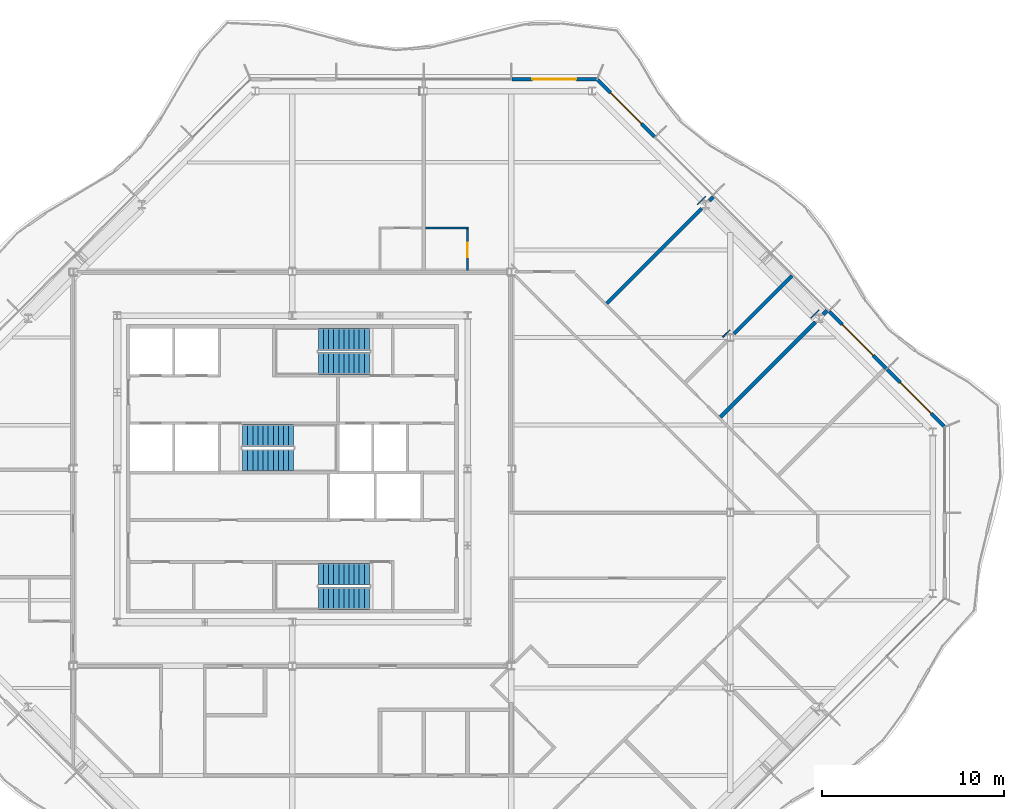
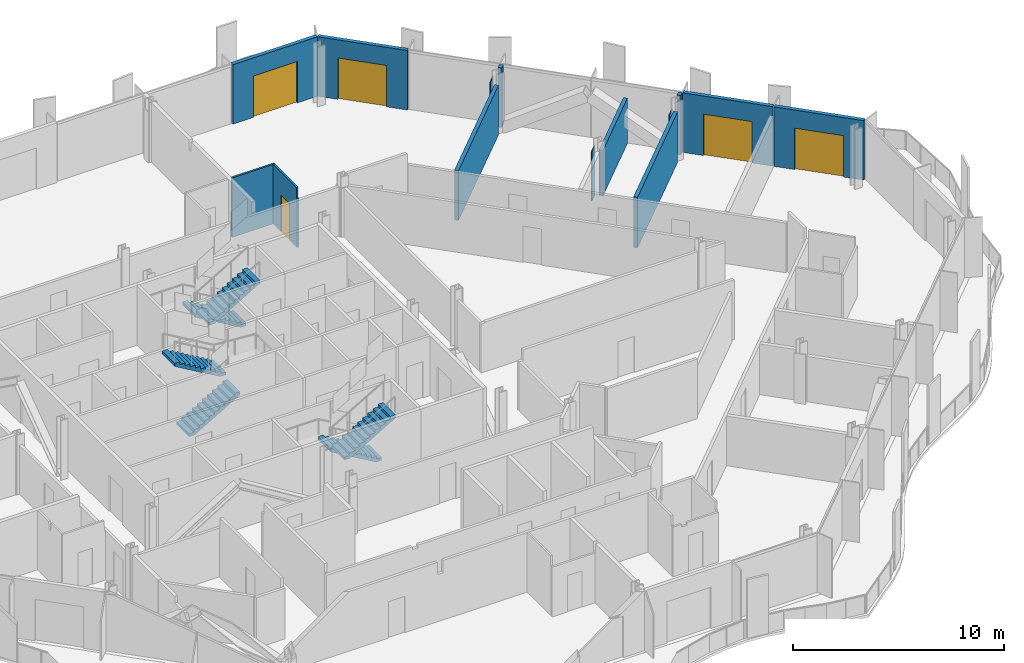
# One storey, part 12 of 17: 14 walls, 6 stair flights, 5 doors, 5 openings, 3 elements without a shape of their own.
"""IFC4 building model written with IfcOpenShell, lengths in metres."""

import ifcopenshell
import ifcopenshell.guid

model = None  # the IFC model being written
_history = None  # IfcOwnerHistory: only IFC2X3 demands one
_inside = {}  # id of a spatial element -> (the spatial element, [elements in it])
_under = {}  # id of a project, library or spatial element -> (it, [spatial elements below it])
_declared = {}  # id of a project -> (the project, [libraries it declares])
_typed = {}  # id of a type object -> (the type object, [elements of that type])
_made_of = {}  # id of a material, layer set ... -> (it, [elements and type objects made of it])


def new_model(schema):
    """Start an empty IFC model of exactly this schema.

    Asked for "IFC4X3", IfcOpenShell would pick the latest addendum, in which some entities
    have other attributes; the version numbers below select the first issue.
    IFC2X3 requires an IfcOwnerHistory on every rooted entity: one is made here for all.
    """
    global model, _history
    if schema == "IFC4X3":
        model = ifcopenshell.file(schema_version=(4, 3, 0, 0))
    else:
        model = ifcopenshell.file(schema=schema)
    _inside.clear()
    _under.clear()
    _declared.clear()
    _typed.clear()
    _made_of.clear()
    _history = None
    if model.schema == "IFC2X3":
        org = make("IfcOrganization", Name="unknown")
        user = make(
            "IfcPersonAndOrganization",
            ThePerson=make("IfcPerson", FamilyName="unknown"),
            TheOrganization=org,
        )
        app = make(
            "IfcApplication",
            ApplicationDeveloper=org,
            Version="unknown",
            ApplicationFullName="unknown",
            ApplicationIdentifier="unknown",
        )
        _history = make(
            "IfcOwnerHistory",
            OwningUser=user,
            OwningApplication=app,
            ChangeAction="ADDED",
            CreationDate=0,
        )
    return model


def make(cls, **values):
    """One entity of the class cls with the attributes given. An attribute that is None is left unset."""
    return model.create_entity(
        cls, **{name: value for name, value in values.items() if value is not None}
    )


def rooted(cls, **values):
    """An entity with a GlobalId (a new one), such as an element, a storey or a relation."""
    return make(cls, GlobalId=ifcopenshell.guid.new(), OwnerHistory=_history, **values)


def si_unit(unit_type, name, prefix=None):
    """IfcSIUnit, for example si_unit("LENGTHUNIT", "METRE", prefix="MILLI")."""
    return make("IfcSIUnit", UnitType=unit_type, Prefix=prefix, Name=name)


def assignment(units):
    """IfcUnitAssignment: the units of a project."""
    return None if units is None else make("IfcUnitAssignment", Units=units)


def point(xyz):
    """IfcCartesianPoint."""
    return None if xyz is None else make("IfcCartesianPoint", Coordinates=xyz)


def direction(xyz):
    """IfcDirection."""
    return None if xyz is None else make("IfcDirection", DirectionRatios=xyz)


def frame(location, z_axis=None, x_axis=None):
    """IfcAxis2Placement3D, a coordinate frame: its origin and axes. An axis left out is left unset."""
    return make(
        "IfcAxis2Placement3D",
        Location=point(location),
        Axis=direction(z_axis),
        RefDirection=direction(x_axis),
    )


def frame_2d(location, x_axis=None):
    """IfcAxis2Placement2D, a coordinate frame in the plane: its origin and x axis."""
    return make(
        "IfcAxis2Placement2D", Location=point(location), RefDirection=direction(x_axis)
    )


def origin():
    """The frame at (0, 0, 0) with its axes left unset."""
    return frame((0.0, 0.0, 0.0))


def place(relative_to, where):
    """IfcLocalPlacement: puts the frame where relative to a parent placement (None: the world)."""
    return make(
        "IfcLocalPlacement", PlacementRelTo=relative_to, RelativePlacement=where
    )


def context(
    kind, dimensions, precision=None, world=None, true_north=None, identifier=None
):
    """IfcGeometricRepresentationContext, for example the 3D "Model" context."""
    return make(
        "IfcGeometricRepresentationContext",
        ContextIdentifier=identifier,
        ContextType=kind,
        CoordinateSpaceDimension=dimensions,
        Precision=precision,
        WorldCoordinateSystem=world,
        TrueNorth=true_north,
    )


def subcontext(parent, identifier, kind, view, scale=None):
    """IfcGeometricRepresentationSubContext, for example "Body" below "Model"."""
    return make(
        "IfcGeometricRepresentationSubContext",
        ContextIdentifier=identifier,
        ContextType=kind,
        ParentContext=parent,
        TargetScale=scale,
        TargetView=view,
    )


def project(units=None, contexts=None):
    """IfcProject with its units and contexts."""
    return rooted(
        "IfcProject",
        Name="project",
        RepresentationContexts=contexts,
        UnitsInContext=assignment(units),
    )


def spatial(cls, under=None, at=None, **own):
    """A site, building, storey or space (cls), placed at a placement, below another one or the project."""
    s = rooted(cls, ObjectPlacement=at, **own)
    if under is not None:
        _under.setdefault(under.id(), (under, []))[1].append(s)
    return s


def polyline(points):
    """IfcPolyline through the points."""
    return make("IfcPolyline", Points=[point(p) for p in points])


def profile(cls, at=None, kind="AREA", **sizes):
    """A parametric profile (cls). Its sizes go by their IFC names, for example OverallWidth=200.0."""
    return make(cls, ProfileType=kind, Position=at, **sizes)


def rectangle(**sizes):
    """IfcRectangleProfileDef."""
    return profile("IfcRectangleProfileDef", **sizes)


def outline(outer, holes=None, kind="AREA"):
    """IfcArbitraryClosedProfileDef: a profile drawn as a closed curve; with holes, ...WithVoids."""
    if holes is None:
        return make("IfcArbitraryClosedProfileDef", ProfileType=kind, OuterCurve=outer)
    return make(
        "IfcArbitraryProfileDefWithVoids",
        ProfileType=kind,
        OuterCurve=outer,
        InnerCurves=holes,
    )


def extrude(swept, where, along, depth):
    """IfcExtrudedAreaSolid: the profile swept, set in the frame where, extruded along a direction by depth."""
    return make(
        "IfcExtrudedAreaSolid",
        SweptArea=swept,
        Position=where,
        ExtrudedDirection=direction(along),
        Depth=depth,
    )


def shape(context_of_items, identifier, shape_type, items):
    """IfcShapeRepresentation: the items that make up one representation, for example the "Body"."""
    return make(
        "IfcShapeRepresentation",
        ContextOfItems=context_of_items,
        RepresentationIdentifier=identifier,
        RepresentationType=shape_type,
        Items=items,
    )


def material(Name=None, Category=None):
    """IfcMaterial."""
    return make("IfcMaterial", Name=Name, Category=Category)


def layer(
    of_material, thickness, ventilated=None, Name=None, Category=None, Priority=None
):
    """IfcMaterialLayer: one layer of a wall or slab, of a material (None: an air gap)."""
    return make(
        "IfcMaterialLayer",
        Material=of_material,
        LayerThickness=thickness,
        IsVentilated=ventilated,
        Name=Name,
        Category=Category,
        Priority=Priority,
    )


def layer_set(layers, Name=None):
    """IfcMaterialLayerSet."""
    return make("IfcMaterialLayerSet", MaterialLayers=layers, LayerSetName=Name)


def made_of(thing, what):
    """Note that an element or type object is made of a material, layer set ...; save() writes the relation."""
    if what is not None:
        _made_of.setdefault(what.id(), (what, []))[1].append(thing)
    return thing


def type_object(cls, material=None, **own):
    """A type object (cls), such as IfcWallType, which elements share."""
    return made_of(rooted(cls, **own), material)


def element(
    cls,
    number,
    at=None,
    inside=None,
    cuts=None,
    type_object=None,
    material=None,
    context=None,
    identifier="Body",
    shape_type=None,
    held_by="IfcProductDefinitionShape",
    body=None,
    shapes=None,
    **own,
):
    """One element of the class cls, such as IfcWall. Its Tag is "e" and its number.

    at: its placement. inside: the storey or other place that contains it. cuts: it is an
    opening in that element (IfcRelVoidsElement). A single representation is given by context,
    identifier, shape_type and body (its items); several are given by shapes. held_by: the class
    of the entity that holds the representations. save() writes the other relations.
    """
    e = rooted(cls, Tag="e%d" % number, ObjectPlacement=at, **own)
    if body is not None:
        shapes = [shape(context, identifier, shape_type, body)]
    if shapes is not None:
        e.Representation = make(held_by, Representations=shapes)
    if inside is not None:
        _inside.setdefault(inside.id(), (inside, []))[1].append(e)
    if cuts is not None:
        rooted(
            "IfcRelVoidsElement", RelatingBuildingElement=cuts, RelatedOpeningElement=e
        )
    if type_object is not None:
        _typed.setdefault(type_object.id(), (type_object, []))[1].append(e)
    return made_of(e, material)


def fill(opening, filler):
    """IfcRelFillsElement: the door or window that sits in an opening."""
    return rooted(
        "IfcRelFillsElement",
        RelatingOpeningElement=opening,
        RelatedBuildingElement=filler,
    )


def aggregate(whole, parts):
    """IfcRelAggregates: a whole, such as a stair, and the parts it consists of."""
    return rooted("IfcRelAggregates", RelatingObject=whole, RelatedObjects=parts)


def save(model, path):
    """Write the relations noted so far, then the file.

    IfcRelAggregates (storeys below a building ...), IfcRelContainedInSpatialStructure (elements
    in a storey), IfcRelDefinesByType, IfcRelAssociatesMaterial and IfcRelDeclares: one each for
    every whole, place, type object, material and project.
    """
    for whole, parts in _under.values():
        aggregate(whole, parts)
    for where, things in _inside.values():
        rooted(
            "IfcRelContainedInSpatialStructure",
            RelatedElements=things,
            RelatingStructure=where,
        )
    for kind, things in _typed.values():
        rooted("IfcRelDefinesByType", RelatedObjects=things, RelatingType=kind)
    for what, things in _made_of.values():
        rooted("IfcRelAssociatesMaterial", RelatedObjects=things, RelatingMaterial=what)
    for by, libraries in _declared.values():
        rooted("IfcRelDeclares", RelatingContext=by, RelatedDefinitions=libraries)
    model.write(path)


model = new_model("IFC4")

# Units and contexts
model_context = context("Model", 3, precision=1e-05, world=origin(), true_north=direction((0.0, 1.0)))
body_context = subcontext(model_context, "Body", "Model", "MODEL_VIEW")
ifc_project = project(units=[si_unit("LENGTHUNIT", "METRE"), si_unit("AREAUNIT", "SQUARE_METRE"), si_unit("VOLUMEUNIT", "CUBIC_METRE"), si_unit("PLANEANGLEUNIT", "RADIAN"), si_unit("MASSUNIT", "GRAM", prefix="KILO")], contexts=[model_context])

# Site, building, storey
site_placement = place(None, origin())
site = spatial("IfcSite", under=ifc_project, at=site_placement, CompositionType="ELEMENT")
building_placement = place(site_placement, origin())
building = spatial("IfcBuilding", under=site, at=building_placement, Name="Cairn Pilgrim Tower", CompositionType="ELEMENT")
storey_placement = place(building_placement, frame((0.0, 0.0, 217.800048828125)))
storey = spatial("IfcBuildingStorey", under=building, at=storey_placement, Name="L55", CompositionType="ELEMENT", Elevation=217.800048828125)

# Wall, opening, door
ifc_material_1 = material(Name="Bronze anodised aluminium insulated sandwich panel with mineral wool fill", Category="aluminium")
ifc_layer_1 = layer(ifc_material_1, 0.199951171875)
ifc_layer_set_1 = layer_set([ifc_layer_1], Name="BRONZE INFILL FRAME WALL 200")
wall_type_1 = type_object("IfcWallType", Name="BRONZE INFILL FRAME WALL 200", PredefinedType="NOTDEFINED", material=ifc_layer_set_1)
wall_1_placement = place(storey_placement, frame((42.921630859375, 4.724609375, 0.0), z_axis=(0.0, 0.0, 1.0), x_axis=(-0.707079168996, 0.707134392299, 0.0)))
wall_1 = element("IfcWall", 1, at=wall_1_placement, inside=storey, type_object=wall_type_1, Name="Bronze infill frame wall IW-NE1", PredefinedType="NOTDEFINED", context=body_context, shape_type="SweptSolid", body=[
    extrude(rectangle(XDim=4.4208984375, YDim=0.199951171875, at=frame_2d((2.21044921875, 0.0))), origin(), (0.0, 0.0, 1.0), 3.449951171875),
])
opening_1_placement = place(wall_1_placement, frame((1.00537109375, 0.0, 0.0)))
opening_1 = element("IfcOpeningElement", 2, at=opening_1_placement, cuts=wall_1, Name="Opening 5504B2", PredefinedType="OPENING", context=body_context, shape_type="SweptSolid", body=[
    extrude(rectangle(XDim=2.39990234375, YDim=2.39990234375, at=frame_2d((1.199951171875, 1.199951171875))), frame((0.0, 0.10986328125, 0.0), z_axis=(0.0, -1.0, 0.0), x_axis=(1.0, 0.0, 0.0)), (0.0, 0.0, 1.0), 0.219970703125),
])
ifc_material_2 = material(Name="Bronze anodised aluminium frame with tinted low-E glass", Category="aluminium")
door_type_1 = type_object("IfcDoorType", Name="BALCONY SLIDING DOOR 2400x2400", OperationType="DOUBLE_DOOR_SLIDING", PredefinedType="DOOR", material=ifc_material_2)
door_1_placement = place(opening_1_placement, origin())
door_1 = element("IfcDoor", 3, at=door_1_placement, inside=storey, type_object=door_type_1, Name="Balcony sliding door 5504B2", OperationType="SINGLE_SWING_LEFT", OverallHeight=2.39990234375, OverallWidth=2.39990234375, PredefinedType="DOOR", context=body_context, shape_type="SweptSolid", body=[
    extrude(rectangle(XDim=2.39990234375, YDim=2.39990234375, at=frame_2d((1.199951171875, 1.199951171875))), frame((0.0, 0.02490234375, 0.0), z_axis=(0.0, -1.0, 0.0), x_axis=(1.0, 0.0, 0.0)), (0.0, 0.0, 1.0), 0.050048828125),
])
fill(opening_1, door_1)

wall_2_placement = place(storey_placement, frame((39.753173828125, 7.893310546875, 0.0), z_axis=(0.0, 0.0, 1.0), x_axis=(-0.707106781187, 0.707106781187, 0.0)))
wall_2 = element("IfcWall", 4, at=wall_2_placement, inside=storey, type_object=wall_type_1, Name="Bronze infill frame wall IW-NE2", PredefinedType="NOTDEFINED", context=body_context, shape_type="SweptSolid", body=[
    extrude(rectangle(XDim=4.430908203125, YDim=0.199951171875, at=frame_2d((2.21533203125, 0.0))), origin(), (0.0, 0.0, 1.0), 3.449951171875),
])
opening_2_placement = place(wall_2_placement, frame((1.015625, 0.0, 0.0)))
opening_2 = element("IfcOpeningElement", 5, at=opening_2_placement, cuts=wall_2, Name="Opening 5505B", PredefinedType="OPENING", context=body_context, shape_type="SweptSolid", body=[
    extrude(rectangle(XDim=2.39990234375, YDim=2.39990234375, at=frame_2d((1.199951171875, 1.199951171875))), frame((0.0, 0.10986328125, 0.0), z_axis=(0.0, -1.0, 0.0), x_axis=(1.0, 0.0, 0.0)), (0.0, 0.0, 1.0), 0.219970703125),
])
door_2_placement = place(opening_2_placement, origin())
door_2 = element("IfcDoor", 6, at=door_2_placement, inside=storey, type_object=door_type_1, Name="Balcony sliding door 5505B", OperationType="SINGLE_SWING_LEFT", OverallHeight=2.39990234375, OverallWidth=2.39990234375, PredefinedType="DOOR", context=body_context, shape_type="SweptSolid", body=[
    extrude(rectangle(XDim=2.39990234375, YDim=2.39990234375, at=frame_2d((1.199951171875, 1.199951171875))), frame((0.0, 0.02490234375, 0.0), z_axis=(0.0, -1.0, 0.0), x_axis=(1.0, 0.0, 0.0)), (0.0, 0.0, 1.0), 0.050048828125),
])
fill(opening_2, door_2)

wall_3_placement = place(storey_placement, frame((27.05078125, 20.595703125, 0.0), z_axis=(0.0, 0.0, 1.0), x_axis=(-0.707106781187, 0.707106781187, 0.0)))
wall_3 = element("IfcWall", 7, at=wall_3_placement, inside=storey, type_object=wall_type_1, Name="Bronze infill frame wall IW-NE6", PredefinedType="NOTDEFINED", context=body_context, shape_type="SweptSolid", body=[
    extrude(rectangle(XDim=4.4208984375, YDim=0.199951171875, at=frame_2d((2.21044921875, 0.0))), origin(), (0.0, 0.0, 1.0), 3.449951171875),
])
opening_3_placement = place(wall_3_placement, frame((1.01513671875, 0.0, 0.0)))
opening_3 = element("IfcOpeningElement", 8, at=opening_3_placement, cuts=wall_3, Name="Opening 5508B", PredefinedType="OPENING", context=body_context, shape_type="SweptSolid", body=[
    extrude(rectangle(XDim=2.39990234375, YDim=2.39990234375, at=frame_2d((1.199951171875, 1.199951171875))), frame((0.0, 0.10986328125, 0.0), z_axis=(0.0, -1.0, 0.0), x_axis=(1.0, 0.0, 0.0)), (0.0, 0.0, 1.0), 0.219970703125),
])
door_3_placement = place(opening_3_placement, origin())
door_3 = element("IfcDoor", 9, at=door_3_placement, inside=storey, type_object=door_type_1, Name="Balcony sliding door 5508B", OperationType="SINGLE_SWING_LEFT", OverallHeight=2.39990234375, OverallWidth=2.39990234375, PredefinedType="DOOR", context=body_context, shape_type="SweptSolid", body=[
    extrude(rectangle(XDim=2.39990234375, YDim=2.39990234375, at=frame_2d((1.199951171875, 1.199951171875))), frame((0.0, 0.02490234375, 0.0), z_axis=(0.0, -1.0, 0.0), x_axis=(1.0, 0.0, 0.0)), (0.0, 0.0, 1.0), 0.050048828125),
])
fill(opening_3, door_3)

wall_4_placement = place(storey_placement, frame((23.8564453125, 23.75, 0.0), z_axis=(0.0, 0.0, 1.0), x_axis=(-1.0, 0.0, 0.0)))
wall_4 = element("IfcWall", 10, at=wall_4_placement, inside=storey, type_object=wall_type_1, Name="Bronze infill frame wall IW-N1", PredefinedType="NOTDEFINED", context=body_context, shape_type="SweptSolid", body=[
    extrude(rectangle(XDim=4.62646484375, YDim=0.199951171875, at=frame_2d((2.313232421875, 0.0))), origin(), (0.0, 0.0, 1.0), 3.449951171875),
])
opening_4_placement = place(wall_4_placement, frame((1.1083984375, 0.0, 0.0)))
opening_4 = element("IfcOpeningElement", 11, at=opening_4_placement, cuts=wall_4, Name="Opening 5508B2", PredefinedType="OPENING", context=body_context, shape_type="SweptSolid", body=[
    extrude(rectangle(XDim=2.39990234375, YDim=2.39990234375, at=frame_2d((1.199951171875, 1.199951171875))), frame((0.0, 0.10986328125, 0.0), z_axis=(0.0, -1.0, 0.0), x_axis=(1.0, 0.0, 0.0)), (0.0, 0.0, 1.0), 0.219970703125),
])
door_4_placement = place(opening_4_placement, origin())
door_4 = element("IfcDoor", 12, at=door_4_placement, inside=storey, type_object=door_type_1, Name="Balcony sliding door 5508B2", OperationType="SINGLE_SWING_LEFT", OverallHeight=2.39990234375, OverallWidth=2.39990234375, PredefinedType="DOOR", context=body_context, shape_type="SweptSolid", body=[
    extrude(rectangle(XDim=2.39990234375, YDim=2.39990234375, at=frame_2d((1.199951171875, 1.199951171875))), frame((0.0, 0.02490234375, 0.0), z_axis=(0.0, -1.0, 0.0), x_axis=(1.0, 0.0, 0.0)), (0.0, 0.0, 1.0), 0.050048828125),
])
fill(opening_4, door_4)

ifc_material_3 = material(Name="Gypsum partition")
ifc_layer_2 = layer(ifc_material_3, 0.10009765625)
ifc_layer_set_2 = layer_set([ifc_layer_2], Name="PARTITION 100 DRYWALL")
wall_type_2 = type_object("IfcWallType", Name="PARTITION 100 DRYWALL", PredefinedType="PARTITIONING", material=ifc_layer_set_2)
wall_5_placement = place(storey_placement, frame((16.800048828125, 13.27490234375, 0.0), z_axis=(0.0, 0.0, 1.0), x_axis=(0.0, 1.0, 0.0)))
wall_5 = element("IfcWall", 13, at=wall_5_placement, inside=storey, type_object=wall_type_2, Name="PARTITION W071", PredefinedType="PARTITIONING", context=body_context, shape_type="SweptSolid", body=[
    extrude(outline(polyline([(0.0, 0.0), (2.275146484375, 0.0), (2.27490234375, 3.449951171875), (0.074951171875, 3.449951171875), (0.072998046875, 2.829833984375), (0.0, 2.829833984375), (0.0, 0.0)])), frame((0.0, 0.050048828125, 0.0), z_axis=(0.0, -1.0, 0.0), x_axis=(1.0, 0.0, 0.0)), (0.0, 0.0, 1.0), 0.10009765625),
])
opening_5_placement = place(wall_5_placement, frame((0.72509765625, 0.0, 0.0)))
opening_5 = element("IfcOpeningElement", 14, at=opening_5_placement, cuts=wall_5, Name="Opening 5508A", PredefinedType="OPENING", context=body_context, shape_type="SweptSolid", body=[
    extrude(rectangle(XDim=0.800048828125, YDim=2.10009765625, at=frame_2d((0.39990234375, 1.050048828125))), frame((0.0, 0.06005859375, 0.0), z_axis=(0.0, -1.0, 0.0), x_axis=(1.0, 0.0, 0.0)), (0.0, 0.0, 1.0), 0.1201171875),
])
ifc_material_4 = material(Name="Timber door leaf", Category="wood")
door_type_2 = type_object("IfcDoorType", Name="WC DOOR 800x2100", OperationType="NOTDEFINED", PredefinedType="DOOR", material=ifc_material_4)
door_5_placement = place(opening_5_placement, frame((0.800048828125, 0.0, 0.0), z_axis=(0.0, 0.0, 1.0), x_axis=(-1.0, 0.0, 0.0)))
door_5 = element("IfcDoor", 15, at=door_5_placement, inside=storey, type_object=door_type_2, Name="DOOR 5508A", OperationType="SINGLE_SWING_LEFT", OverallHeight=2.10009765625, OverallWidth=0.800048828125, PredefinedType="DOOR", context=body_context, shape_type="SweptSolid", body=[
    extrude(rectangle(XDim=0.800048828125, YDim=2.10009765625, at=frame_2d((0.39990234375, 1.050048828125))), frame((0.0, 0.02490234375, 0.0), z_axis=(0.0, -1.0, 0.0), x_axis=(1.0, 0.0, 0.0)), (0.0, 0.0, 1.0), 0.050048828125),
])
fill(opening_5, door_5)

# Walls
wall_6_placement = place(storey_placement, frame((14.5, 15.60009765625, 0.0), z_axis=(0.0, 0.0, 1.0), x_axis=(1.0, 0.0, 0.0)))
element("IfcWall", 16, at=wall_6_placement, inside=storey, type_object=wall_type_2, Name="PARTITION W073", PredefinedType="PARTITIONING", context=body_context, shape_type="SweptSolid", body=[
    extrude(rectangle(XDim=2.35009765625, YDim=0.10009765625, at=frame_2d((1.175048828125, 0.0))), origin(), (0.0, 0.0, 1.0), 3.449951171875),
])
ifc_layer_3 = layer(ifc_material_3, 0.050048828125)
ifc_layer_set_3 = layer_set([ifc_layer_3], Name="PARTITION 50 DRYWALL EI 60")
wall_type_3 = type_object("IfcWallType", Name="PARTITION 50 DRYWALL EI 60", PredefinedType="PARTITIONING", material=ifc_layer_set_3)
wall_7_placement = place(storey_placement, frame((35.626953125, 10.669189453125, 0.0), z_axis=(0.0, 0.0, 1.0), x_axis=(0.707307009627, 0.706906496032, 0.0)))
element("IfcWall", 17, at=wall_7_placement, inside=storey, type_object=wall_type_3, Name="COLUMN CASING WC19", PredefinedType="PARTITIONING", context=body_context, shape_type="SweptSolid", body=[
    extrude(rectangle(XDim=0.609619140625, YDim=0.050048828125, at=frame_2d((0.3046875, 0.0))), origin(), (0.0, 0.0, 1.0), 2.6298828125),
])
wall_8_placement = place(storey_placement, frame((30.786376953125, 9.61767578125, 0.0), z_axis=(0.0, 0.0, 1.0), x_axis=(0.707106781187, 0.707106781187, 0.0)))
element("IfcWall", 18, at=wall_8_placement, inside=storey, type_object=wall_type_3, Name="COLUMN CASING WC20", PredefinedType="PARTITIONING", context=body_context, shape_type="SweptSolid", body=[
    extrude(rectangle(XDim=0.56005859375, YDim=0.050048828125, at=frame_2d((0.280029296875, 0.0))), origin(), (0.0, 0.0, 1.0), 2.8798828125),
])
wall_9_placement = place(storey_placement, frame((29.40283203125, 16.893310546875, 0.0), z_axis=(0.0, 0.0, 1.0), x_axis=(0.706906496032, 0.707307009627, 0.0)))
element("IfcWall", 19, at=wall_9_placement, inside=storey, type_object=wall_type_3, Name="COLUMN CASING WC21", PredefinedType="PARTITIONING", context=body_context, shape_type="SweptSolid", body=[
    extrude(rectangle(XDim=0.609619140625, YDim=0.050048828125, at=frame_2d((0.3046875, 0.0))), origin(), (0.0, 0.0, 1.0), 2.929931640625),
])
ifc_layer_4 = layer(ifc_material_3, 0.199951171875)
ifc_layer_set_4 = layer_set([ifc_layer_4], Name="SHAFT WALL 200 GYPSUM EI 60")
wall_type_4 = type_object("IfcWallType", Name="SHAFT WALL 200 GYPSUM EI 60", PredefinedType="PARTITIONING", material=ifc_layer_set_4)
wall_10_placement = place(storey_placement, frame((30.662109375, 5.238037109375, 0.0), z_axis=(0.0, 0.0, 1.0), x_axis=(0.707106781187, 0.707106781187, 0.0)))
element("IfcWall", 20, at=wall_10_placement, inside=storey, type_object=wall_type_4, Name="PARTITION W061", PredefinedType="PARTITIONING", context=body_context, shape_type="SweptSolid", body=[
    extrude(rectangle(XDim=7.35107421875, YDim=0.199951171875, at=frame_2d((3.675537109375, 0.0))), origin(), (0.0, 0.0, 1.0), 2.929931640625),
])
wall_11_placement = place(storey_placement, frame((31.39794921875, 9.798095703125, 0.0), z_axis=(0.0, 0.0, 1.0), x_axis=(0.707133900936, 0.707079660397, 0.0)))
element("IfcWall", 21, at=wall_11_placement, inside=storey, type_object=wall_type_4, Name="PARTITION W063", PredefinedType="PARTITIONING", context=body_context, shape_type="SweptSolid", body=[
    extrude(rectangle(XDim=4.5009765625, YDim=0.199951171875, at=frame_2d((2.25048828125, 0.0))), origin(), (0.0, 0.0, 1.0), 2.6298828125),
])
wall_12_placement = place(storey_placement, frame((36.291015625, 10.8671875, 0.0), z_axis=(0.0, 0.0, 1.0), x_axis=(0.707534423513, 0.706678880075, 0.0)))
element("IfcWall", 22, at=wall_12_placement, inside=storey, type_object=wall_type_4, Name="PARTITION W064", PredefinedType="PARTITIONING", context=body_context, shape_type="SweptSolid", body=[
    extrude(rectangle(XDim=0.285400390625, YDim=0.199951171875, at=frame_2d((0.142578125, 0.0))), origin(), (0.0, 0.0, 1.0), 3.449951171875),
])
wall_13_placement = place(storey_placement, frame((24.43798828125, 11.4619140625, 0.0), z_axis=(0.0, 0.0, 1.0), x_axis=(0.707090175614, 0.707123386369, 0.0)))
element("IfcWall", 23, at=wall_13_placement, inside=storey, type_object=wall_type_4, Name="PARTITION W065", PredefinedType="PARTITIONING", context=body_context, shape_type="SweptSolid", body=[
    extrude(rectangle(XDim=7.351318359375, YDim=0.199951171875, at=frame_2d((3.67578125, 0.0))), origin(), (0.0, 0.0, 1.0), 2.8798828125),
])
wall_14_placement = place(storey_placement, frame((30.067138671875, 17.091064453125, 0.0), z_axis=(0.0, 0.0, 1.0), x_axis=(0.707106781187, 0.707106781187, 0.0)))
element("IfcWall", 24, at=wall_14_placement, inside=storey, type_object=wall_type_4, Name="PARTITION W074", PredefinedType="PARTITIONING", context=body_context, shape_type="SweptSolid", body=[
    extrude(rectangle(XDim=0.28515625, YDim=0.199951171875, at=frame_2d((0.142578125, 0.0))), origin(), (0.0, 0.0, 1.0), 3.449951171875),
])

# Stair, stair flights
ifc_material_5 = material(Name="Concrete C32/40", Category="concrete")
stair_type = type_object("IfcStairType", Name="EXIT STAIR 1200", PredefinedType="HALF_TURN_STAIR", material=ifc_material_5)
stair_1_placement = place(storey_placement, origin())
stair_1 = element("IfcStair", 25, at=stair_1_placement, inside=storey, type_object=stair_type, Name="L55 Exit Stair A", PredefinedType="HALF_TURN_STAIR")
stair_flight_type = type_object("IfcStairFlightType", Name="STAIR FLIGHT 1200", PredefinedType="STRAIGHT", material=ifc_material_5)
stair_flight_1_placement = place(storey_placement, frame((11.425048828125, -3.375, 0.0), z_axis=(0.0, 0.0, 1.0), x_axis=(-1.0, 0.0, 0.0)))
stair_flight_1 = element("IfcStairFlight", 26, at=stair_flight_1_placement, type_object=stair_flight_type, Name="ST-A flight 1", NumberOfRisers=11, NumberOfTreads=10, PredefinedType="STRAIGHT", RiserHeight=0.163636364, TreadLength=0.28, context=body_context, shape_type="SweptSolid", body=[
    extrude(outline(polyline([(0.0, 0.0), (0.0, 0.16357421875), (0.280029296875, 0.16357421875), (0.280029296875, 0.327392578125), (0.56005859375, 0.327392578125), (0.56005859375, 0.490966796875), (0.840087890625, 0.490966796875), (0.840087890625, 0.654541015625), (1.1201171875, 0.654541015625), (1.1201171875, 0.818115234375), (1.39990234375, 0.818115234375), (1.39990234375, 0.98193359375), (1.679931640625, 0.98193359375), (1.679931640625, 1.1455078125), (1.9599609375, 1.1455078125), (1.9599609375, 1.30908203125), (2.239990234375, 1.30908203125), (2.239990234375, 1.47265625), (2.52001953125, 1.47265625), (2.52001953125, 1.636474609375), (2.800048828125, 1.636474609375), (2.800048828125, 1.800048828125), (2.800048828125, 1.462646484375), (0.297119140625, 0.0), (0.0, 0.0)])), frame((0.0, 0.60009765625, 0.0), z_axis=(0.0, -1.0, 0.0), x_axis=(1.0, 0.0, 0.0)), (0.0, 0.0, 1.0), 1.199951171875),
])
stair_flight_2_placement = place(storey_placement, frame((8.625, -4.699951171875, 1.800048828125), z_axis=(0.0, 0.0, 1.0), x_axis=(1.0, 0.0, 0.0)))
stair_flight_2 = element("IfcStairFlight", 27, at=stair_flight_2_placement, type_object=stair_flight_type, Name="ST-A flight 2", NumberOfRisers=11, NumberOfTreads=10, PredefinedType="STRAIGHT", RiserHeight=0.163636364, TreadLength=0.28, context=body_context, shape_type="SweptSolid", body=[
    extrude(outline(polyline([(0.0, 0.0), (0.0, 0.16357421875), (0.280029296875, 0.16357421875), (0.280029296875, 0.327392578125), (0.56005859375, 0.327392578125), (0.56005859375, 0.490966796875), (0.840087890625, 0.490966796875), (0.840087890625, 0.654541015625), (1.1201171875, 0.654541015625), (1.1201171875, 0.818115234375), (1.39990234375, 0.818115234375), (1.39990234375, 0.98193359375), (1.679931640625, 0.98193359375), (1.679931640625, 1.1455078125), (1.9599609375, 1.1455078125), (1.9599609375, 1.30908203125), (2.239990234375, 1.30908203125), (2.239990234375, 1.47265625), (2.52001953125, 1.47265625), (2.52001953125, 1.636474609375), (2.800048828125, 1.636474609375), (2.800048828125, 1.800048828125), (2.800048828125, 1.462646484375), (0.297119140625, 0.0), (0.0, 0.0)])), frame((0.0, 0.60009765625, 0.0), z_axis=(0.0, -1.0, 0.0), x_axis=(1.0, 0.0, 0.0)), (0.0, 0.0, 1.0), 1.199951171875),
])
aggregate(stair_1, [stair_flight_1, stair_flight_2])

stair_2_placement = place(storey_placement, origin())
stair_2 = element("IfcStair", 28, at=stair_2_placement, inside=storey, type_object=stair_type, Name="L55 Exit Stair B", PredefinedType="HALF_TURN_STAIR")
stair_flight_3_placement = place(storey_placement, frame((4.47509765625, 2.875, 0.0), z_axis=(0.0, 0.0, 1.0), x_axis=(1.0, 0.0, 0.0)))
stair_flight_3 = element("IfcStairFlight", 29, at=stair_flight_3_placement, type_object=stair_flight_type, Name="ST-B flight 1", NumberOfRisers=11, NumberOfTreads=10, PredefinedType="STRAIGHT", RiserHeight=0.163636364, TreadLength=0.28, context=body_context, shape_type="SweptSolid", body=[
    extrude(outline(polyline([(0.0, 0.0), (0.0, 0.16357421875), (0.280029296875, 0.16357421875), (0.280029296875, 0.327392578125), (0.56005859375, 0.327392578125), (0.56005859375, 0.490966796875), (0.840087890625, 0.490966796875), (0.840087890625, 0.654541015625), (1.1201171875, 0.654541015625), (1.1201171875, 0.818115234375), (1.39990234375, 0.818115234375), (1.39990234375, 0.98193359375), (1.679931640625, 0.98193359375), (1.679931640625, 1.1455078125), (1.9599609375, 1.1455078125), (1.9599609375, 1.30908203125), (2.239990234375, 1.30908203125), (2.239990234375, 1.47265625), (2.52001953125, 1.47265625), (2.52001953125, 1.636474609375), (2.800048828125, 1.636474609375), (2.800048828125, 1.800048828125), (2.800048828125, 1.462646484375), (0.297119140625, 0.0), (0.0, 0.0)])), frame((0.0, 0.60009765625, 0.0), z_axis=(0.0, -1.0, 0.0), x_axis=(1.0, 0.0, 0.0)), (0.0, 0.0, 1.0), 1.199951171875),
])
stair_flight_4_placement = place(storey_placement, frame((7.27490234375, 4.22509765625, 1.800048828125), z_axis=(0.0, 0.0, 1.0), x_axis=(-1.0, 0.0, 0.0)))
stair_flight_4 = element("IfcStairFlight", 30, at=stair_flight_4_placement, type_object=stair_flight_type, Name="ST-B flight 2", NumberOfRisers=11, NumberOfTreads=10, PredefinedType="STRAIGHT", RiserHeight=0.163636364, TreadLength=0.28, context=body_context, shape_type="SweptSolid", body=[
    extrude(outline(polyline([(0.0, 0.0), (0.0, 0.16357421875), (0.280029296875, 0.16357421875), (0.280029296875, 0.327392578125), (0.56005859375, 0.327392578125), (0.56005859375, 0.490966796875), (0.840087890625, 0.490966796875), (0.840087890625, 0.654541015625), (1.1201171875, 0.654541015625), (1.1201171875, 0.818115234375), (1.39990234375, 0.818115234375), (1.39990234375, 0.98193359375), (1.679931640625, 0.98193359375), (1.679931640625, 1.1455078125), (1.9599609375, 1.1455078125), (1.9599609375, 1.30908203125), (2.239990234375, 1.30908203125), (2.239990234375, 1.47265625), (2.52001953125, 1.47265625), (2.52001953125, 1.636474609375), (2.800048828125, 1.636474609375), (2.800048828125, 1.800048828125), (2.800048828125, 1.462646484375), (0.297119140625, 0.0), (0.0, 0.0)])), frame((0.0, 0.60009765625, 0.0), z_axis=(0.0, -1.0, 0.0), x_axis=(1.0, 0.0, 0.0)), (0.0, 0.0, 1.0), 1.199951171875),
])
aggregate(stair_2, [stair_flight_3, stair_flight_4])

stair_3_placement = place(storey_placement, origin())
stair_3 = element("IfcStair", 31, at=stair_3_placement, inside=storey, type_object=stair_type, Name="L55 Exit Stair C", PredefinedType="HALF_TURN_STAIR")
stair_flight_5_placement = place(storey_placement, frame((11.425048828125, 9.5, 0.0), z_axis=(0.0, 0.0, 1.0), x_axis=(-1.0, 0.0, 0.0)))
stair_flight_5 = element("IfcStairFlight", 32, at=stair_flight_5_placement, type_object=stair_flight_type, Name="ST-C flight 1", NumberOfRisers=11, NumberOfTreads=10, PredefinedType="STRAIGHT", RiserHeight=0.163636364, TreadLength=0.28, context=body_context, shape_type="SweptSolid", body=[
    extrude(outline(polyline([(0.0, 0.0), (0.0, 0.16357421875), (0.280029296875, 0.16357421875), (0.280029296875, 0.327392578125), (0.56005859375, 0.327392578125), (0.56005859375, 0.490966796875), (0.840087890625, 0.490966796875), (0.840087890625, 0.654541015625), (1.1201171875, 0.654541015625), (1.1201171875, 0.818115234375), (1.39990234375, 0.818115234375), (1.39990234375, 0.98193359375), (1.679931640625, 0.98193359375), (1.679931640625, 1.1455078125), (1.9599609375, 1.1455078125), (1.9599609375, 1.30908203125), (2.239990234375, 1.30908203125), (2.239990234375, 1.47265625), (2.52001953125, 1.47265625), (2.52001953125, 1.636474609375), (2.800048828125, 1.636474609375), (2.800048828125, 1.800048828125), (2.800048828125, 1.462646484375), (0.297119140625, 0.0), (0.0, 0.0)])), frame((0.0, 0.60009765625, 0.0), z_axis=(0.0, -1.0, 0.0), x_axis=(1.0, 0.0, 0.0)), (0.0, 0.0, 1.0), 1.199951171875),
])
stair_flight_6_placement = place(storey_placement, frame((8.625, 8.175048828125, 1.800048828125), z_axis=(0.0, 0.0, 1.0), x_axis=(1.0, 0.0, 0.0)))
stair_flight_6 = element("IfcStairFlight", 33, at=stair_flight_6_placement, type_object=stair_flight_type, Name="ST-C flight 2", NumberOfRisers=11, NumberOfTreads=10, PredefinedType="STRAIGHT", RiserHeight=0.163636364, TreadLength=0.28, context=body_context, shape_type="SweptSolid", body=[
    extrude(outline(polyline([(0.0, 0.0), (0.0, 0.16357421875), (0.280029296875, 0.16357421875), (0.280029296875, 0.327392578125), (0.56005859375, 0.327392578125), (0.56005859375, 0.490966796875), (0.840087890625, 0.490966796875), (0.840087890625, 0.654541015625), (1.1201171875, 0.654541015625), (1.1201171875, 0.818115234375), (1.39990234375, 0.818115234375), (1.39990234375, 0.98193359375), (1.679931640625, 0.98193359375), (1.679931640625, 1.1455078125), (1.9599609375, 1.1455078125), (1.9599609375, 1.30908203125), (2.239990234375, 1.30908203125), (2.239990234375, 1.47265625), (2.52001953125, 1.47265625), (2.52001953125, 1.636474609375), (2.800048828125, 1.636474609375), (2.800048828125, 1.800048828125), (2.800048828125, 1.462646484375), (0.297119140625, 0.0), (0.0, 0.0)])), frame((0.0, 0.60009765625, 0.0), z_axis=(0.0, -1.0, 0.0), x_axis=(1.0, 0.0, 0.0)), (0.0, 0.0, 1.0), 1.199951171875),
])
aggregate(stair_3, [stair_flight_5, stair_flight_6])

save(model, "model.ifc")
